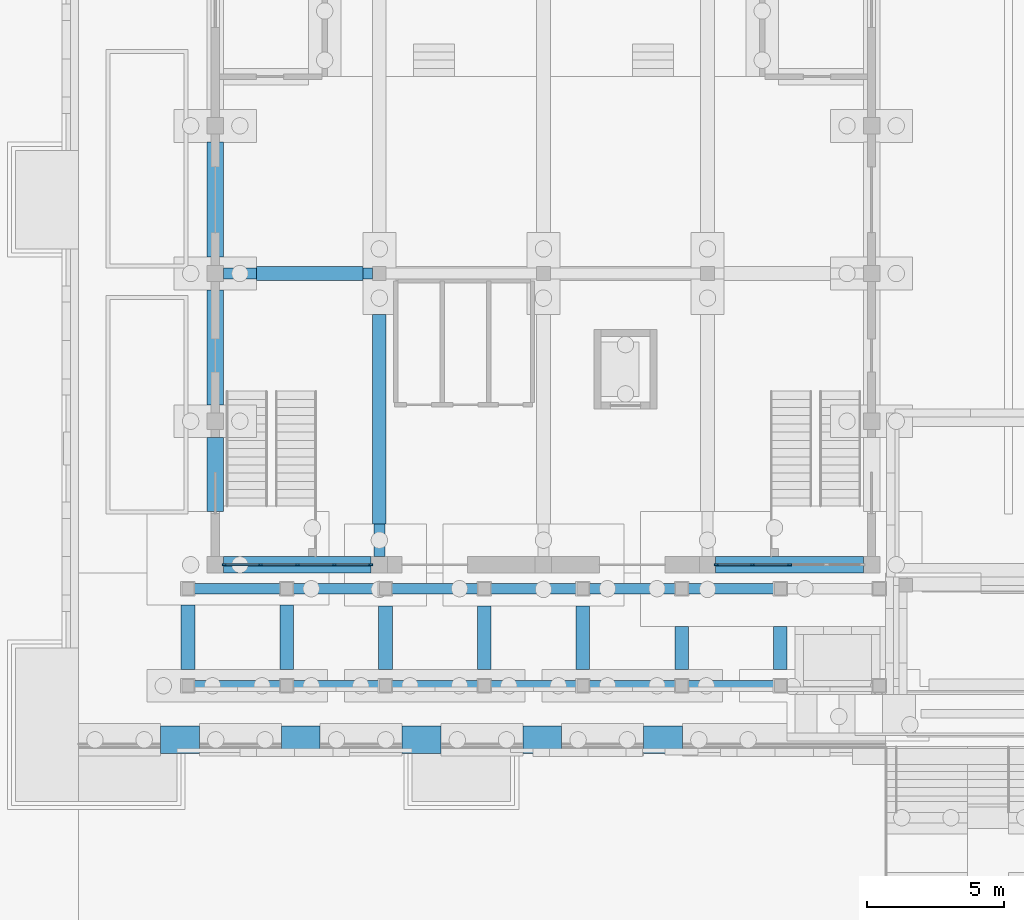
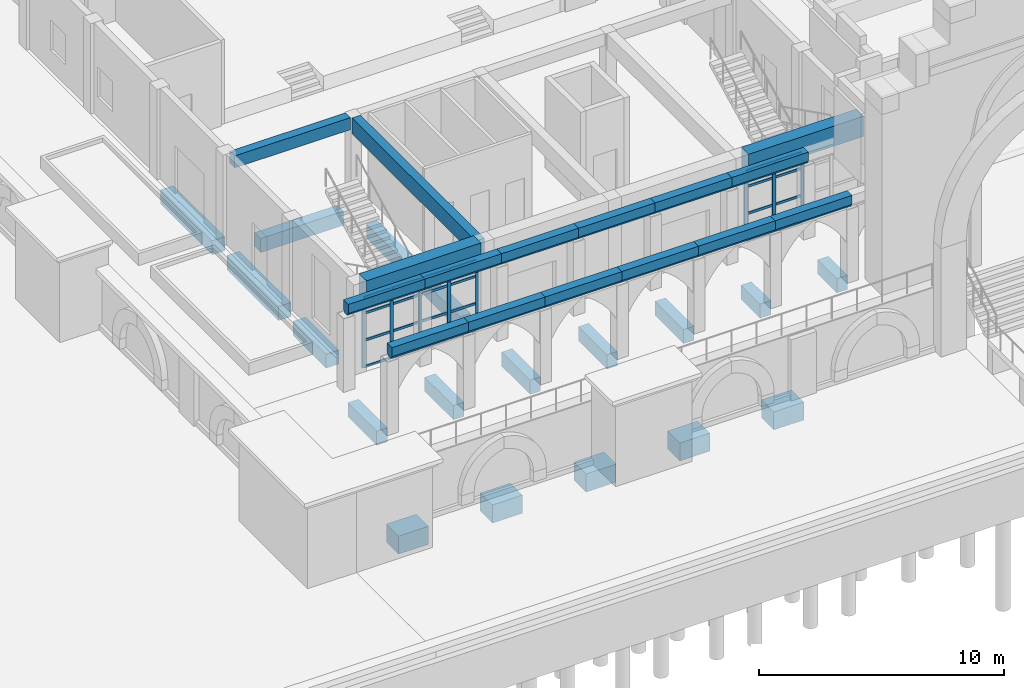
# One storey, part 10 of 161: 33 beams, 32 members, 2 elements without a shape of their own.
"""IFC4 building model written with IfcOpenShell, lengths in metres."""

from ifc_helpers import new_model, si_unit, direction, frame, origin, origin_2d, place, context, subcontext, project, spatial, polyline, rectangle, outline, extrude, material, material_profile, profile_set, type_object, element, aggregate, save


model = new_model("IFC4")

# Units and contexts
model_context = context("Model", 3, precision=1e-05, world=origin(), true_north=direction((0.0, 1.0)))
body_context = subcontext(model_context, "Body", "Model", "MODEL_VIEW")
ifc_project = project(units=[si_unit("LENGTHUNIT", "METRE"), si_unit("AREAUNIT", "SQUARE_METRE"), si_unit("VOLUMEUNIT", "CUBIC_METRE"), si_unit("PLANEANGLEUNIT", "RADIAN"), si_unit("MASSUNIT", "GRAM", prefix="KILO")], contexts=[model_context])

# Site, building, storey
site_placement = place(None, origin())
site = spatial("IfcSite", under=ifc_project, at=site_placement, CompositionType="ELEMENT")
building_placement = place(site_placement, origin())
building = spatial("IfcBuilding", under=site, at=building_placement, Name="Elbe Cascade School", CompositionType="ELEMENT")
storey_placement = place(building_placement, origin())
storey = spatial("IfcBuildingStorey", under=building, at=storey_placement, Name="L00", CompositionType="ELEMENT", Elevation=0.0)

# Beams
ifc_material_1 = material(Name="Concrete C30/37", Category="concrete")
ifc_material_profile_1 = material_profile(ifc_material_1, rectangle(XDim=0.39990234375, YDim=0.60009765625, at=origin_2d()), Name="RC 400x600")
ifc_profile_set_1 = profile_set([ifc_material_profile_1], Name="Concrete C30/37")
beam_type_1 = type_object("IfcBeamType", Name="Assembly hall beam RC 400x600", PredefinedType="BEAM", material=ifc_profile_set_1)
beam_1_placement = place(storey_placement, frame((5.300048828125, 16.800048828125, 3.89990234375), z_axis=(1.0, 0.0, 0.0), x_axis=(0.0, 1.0, 0.0)))
element("IfcBeam", 1, at=beam_1_placement, inside=storey, type_object=beam_type_1, Name="Assembly hall beam RC 400x600 B18", PredefinedType="BEAM", context=body_context, shape_type="SweptSolid", body=[
    extrude(rectangle(XDim=0.39990234375, YDim=0.60009765625, at=origin_2d()), origin(), (0.0, 0.0, 1.0), 5.449951171875),
])
ifc_material_2 = material(Name="Concrete C30/37", Category="concrete")
ifc_material_profile_2 = material_profile(ifc_material_2, rectangle(XDim=0.39990234375, YDim=0.800048828125, at=origin_2d()), Name="RC 400x800")
ifc_profile_set_2 = profile_set([ifc_material_profile_2], Name="Concrete C30/37")
beam_type_2 = type_object("IfcBeamType", Name="Assembly hall beam RC 400x800", PredefinedType="BEAM", material=ifc_profile_set_2)
beam_2_placement = place(storey_placement, frame((11.0, 6.449951171875, 3.800048828125), z_axis=(0.0, 1.0, 0.0), x_axis=(-1.0, 0.0, 0.0)))
element("IfcBeam", 2, at=beam_2_placement, inside=storey, type_object=beam_type_2, Name="Assembly hall beam RC 400x800 B17", PredefinedType="BEAM", context=body_context, shape_type="SweptSolid", body=[
    extrude(rectangle(XDim=0.39990234375, YDim=0.800048828125, at=origin_2d()), origin(), (0.0, 0.0, 1.0), 10.10009765625),
])
ifc_material_3 = material(Name="Concrete C30/37", Category="concrete")
ifc_material_profile_3 = material_profile(ifc_material_3, rectangle(XDim=0.60009765625, YDim=1.0, at=origin_2d()), Name="RC 600x1000")
ifc_profile_set_3 = profile_set([ifc_material_profile_3], Name="Concrete C30/37")
beam_type_3 = type_object("IfcBeamType", Name="Assembly hall beam RC 600x1000", PredefinedType="BEAM", material=ifc_profile_set_3)
for number, where, z_axis, x_axis, name in (
    (3, (5.300048828125, 6.14990234375, 4.0), (1.0, 0.0, 0.0), (0.0, 1.0, 0.0), "Assembly hall beam RC 600x1000 B15"),
    (4, (23.300048828125, 6.14990234375, 4.0), (1.0, 0.0, 0.0), (0.0, 1.0, 0.0), "Assembly hall beam RC 600x1000 B15"),
):
    element("IfcBeam", number, at=place(storey_placement, frame(where, z_axis=z_axis, x_axis=x_axis)), inside=storey, type_object=beam_type_3, Name=name, PredefinedType="BEAM", context=body_context, shape_type="SweptSolid", body=[
        extrude(rectangle(XDim=0.60009765625, YDim=1.0, at=origin_2d()), origin(), (0.0, 0.0, 1.0), 5.39990234375),
    ])

# Curtain wall, members
ifc_material_4 = material(Name="Assembly hall curtain wall")
curtain_wall_type = type_object("IfcCurtainWallType", Name="Assembly hall curtain wall", PredefinedType="NOTDEFINED", material=ifc_material_4)
curtain_wall_1_placement = place(storey_placement, origin())
curtain_wall_1 = element("IfcCurtainWall", 5, at=curtain_wall_1_placement, inside=storey, type_object=curtain_wall_type, Name="Curtain wall CW8 AU.L00.cw.s0", PredefinedType="NOTDEFINED")
ifc_material_5 = material(Name="Aluminium - bronze anodised", Category="aluminium")
ifc_material_profile_4 = material_profile(ifc_material_5, rectangle(XDim=0.06005859375, YDim=0.159912109375, at=origin_2d()), Name="RECT 60x160")
ifc_profile_set_4 = profile_set([ifc_material_profile_4], Name="Aluminium - bronze anodised")
member_type_1 = type_object("IfcMemberType", Name="Assembly hall curtain wall mullion 60 x 160", PredefinedType="MULLION", material=ifc_profile_set_4)
member_1_placement = place(storey_placement, frame((5.330078125, 6.14990234375, 0.0), z_axis=(0.0, 0.0, 1.0), x_axis=(0.0, 1.0, 0.0)))
member_1 = element("IfcMember", 6, at=member_1_placement, type_object=member_type_1, Name="CW8 mullion 1", PredefinedType="MULLION", context=body_context, shape_type="SweptSolid", body=[
    extrude(rectangle(XDim=0.06005859375, YDim=0.159912109375, at=origin_2d()), origin(), (0.0, 0.0, 1.0), 3.5),
])
member_2_placement = place(storey_placement, frame((6.64990234375, 6.14990234375, 0.0), z_axis=(0.0, 0.0, 1.0), x_axis=(0.0, 1.0, 0.0)))
member_2 = element("IfcMember", 7, at=member_2_placement, type_object=member_type_1, Name="CW8 mullion 2", PredefinedType="MULLION", context=body_context, shape_type="SweptSolid", body=[
    extrude(rectangle(XDim=0.06005859375, YDim=0.159912109375, at=origin_2d()), origin(), (0.0, 0.0, 1.0), 3.5),
])
member_3_placement = place(storey_placement, frame((8.0, 6.14990234375, 0.0), z_axis=(0.0, 0.0, 1.0), x_axis=(0.0, 1.0, 0.0)))
member_3 = element("IfcMember", 8, at=member_3_placement, type_object=member_type_1, Name="CW8 mullion 3", PredefinedType="MULLION", context=body_context, shape_type="SweptSolid", body=[
    extrude(rectangle(XDim=0.06005859375, YDim=0.159912109375, at=origin_2d()), origin(), (0.0, 0.0, 1.0), 3.5),
])
member_4_placement = place(storey_placement, frame((9.35009765625, 6.14990234375, 0.0), z_axis=(0.0, 0.0, 1.0), x_axis=(0.0, 1.0, 0.0)))
member_4 = element("IfcMember", 9, at=member_4_placement, type_object=member_type_1, Name="CW8 mullion 4", PredefinedType="MULLION", context=body_context, shape_type="SweptSolid", body=[
    extrude(rectangle(XDim=0.06005859375, YDim=0.159912109375, at=origin_2d()), origin(), (0.0, 0.0, 1.0), 3.5),
])
member_5_placement = place(storey_placement, frame((10.669921875, 6.14990234375, 0.0), z_axis=(0.0, 0.0, 1.0), x_axis=(0.0, 1.0, 0.0)))
member_5 = element("IfcMember", 10, at=member_5_placement, type_object=member_type_1, Name="CW8 mullion 5", PredefinedType="MULLION", context=body_context, shape_type="SweptSolid", body=[
    extrude(rectangle(XDim=0.06005859375, YDim=0.159912109375, at=origin_2d()), origin(), (0.0, 0.0, 1.0), 3.5),
])

curtain_wall_2_placement = place(storey_placement, origin())
curtain_wall_2 = element("IfcCurtainWall", 11, at=curtain_wall_2_placement, inside=storey, type_object=curtain_wall_type, Name="Curtain wall CW8 AU.L00.cw.s3", PredefinedType="NOTDEFINED")
member_6_placement = place(storey_placement, frame((23.330078125, 6.14990234375, 0.0), z_axis=(0.0, 0.0, 1.0), x_axis=(0.0, 1.0, 0.0)))
member_6 = element("IfcMember", 12, at=member_6_placement, type_object=member_type_1, Name="CW8 mullion 1", PredefinedType="MULLION", context=body_context, shape_type="SweptSolid", body=[
    extrude(rectangle(XDim=0.06005859375, YDim=0.159912109375, at=origin_2d()), origin(), (0.0, 0.0, 1.0), 3.5),
])
member_7_placement = place(storey_placement, frame((24.64990234375, 6.14990234375, 0.0), z_axis=(0.0, 0.0, 1.0), x_axis=(0.0, 1.0, 0.0)))
member_7 = element("IfcMember", 13, at=member_7_placement, type_object=member_type_1, Name="CW8 mullion 2", PredefinedType="MULLION", context=body_context, shape_type="SweptSolid", body=[
    extrude(rectangle(XDim=0.06005859375, YDim=0.159912109375, at=origin_2d()), origin(), (0.0, 0.0, 1.0), 3.5),
])
member_8_placement = place(storey_placement, frame((26.0, 6.14990234375, 0.0), z_axis=(0.0, 0.0, 1.0), x_axis=(0.0, 1.0, 0.0)))
member_8 = element("IfcMember", 14, at=member_8_placement, type_object=member_type_1, Name="CW8 mullion 3", PredefinedType="MULLION", context=body_context, shape_type="SweptSolid", body=[
    extrude(rectangle(XDim=0.06005859375, YDim=0.159912109375, at=origin_2d()), origin(), (0.0, 0.0, 1.0), 3.5),
])

# Member
ifc_material_6 = material(Name="Aluminium - bronze anodised", Category="aluminium")
ifc_material_profile_5 = material_profile(ifc_material_6, rectangle(XDim=0.06005859375, YDim=0.1201171875, at=origin_2d()), Name="RECT 60x120")
ifc_profile_set_5 = profile_set([ifc_material_profile_5], Name="Aluminium - bronze anodised")
member_type_2 = type_object("IfcMemberType", Name="Assembly hall curtain wall transom 60 x 120", PredefinedType="USERDEFINED", material=ifc_profile_set_5)
member_9_placement = place(storey_placement, frame((5.360107421875, 6.14990234375, 0.030029296875), z_axis=(1.0, 0.0, 0.0), x_axis=(0.0, 1.0, 0.0)))
member_9 = element("IfcMember", 15, at=member_9_placement, type_object=member_type_2, Name="CW8 transom 1.1", ObjectType="TRANSOM", PredefinedType="USERDEFINED", context=body_context, shape_type="SweptSolid", body=[
    extrude(rectangle(XDim=0.06005859375, YDim=0.1201171875, at=origin_2d()), origin(), (0.0, 0.0, 1.0), 1.260009765625),
])

member_10_placement = place(storey_placement, frame((5.360107421875, 6.14990234375, 1.35009765625), z_axis=(1.0, 0.0, 0.0), x_axis=(0.0, 1.0, 0.0)))
member_10 = element("IfcMember", 16, at=member_10_placement, type_object=member_type_2, Name="CW8 transom 1.2", ObjectType="TRANSOM", PredefinedType="USERDEFINED", context=body_context, shape_type="SweptSolid", body=[
    extrude(rectangle(XDim=0.06005859375, YDim=0.1201171875, at=origin_2d()), origin(), (0.0, 0.0, 1.0), 1.260009765625),
])

member_11_placement = place(storey_placement, frame((5.360107421875, 6.14990234375, 2.699951171875), z_axis=(1.0, 0.0, 0.0), x_axis=(0.0, 1.0, 0.0)))
member_11 = element("IfcMember", 17, at=member_11_placement, type_object=member_type_2, Name="CW8 transom 1.3", ObjectType="TRANSOM", PredefinedType="USERDEFINED", context=body_context, shape_type="SweptSolid", body=[
    extrude(rectangle(XDim=0.06005859375, YDim=0.1201171875, at=origin_2d()), origin(), (0.0, 0.0, 1.0), 1.260009765625),
])

member_12_placement = place(storey_placement, frame((5.360107421875, 6.14990234375, 3.469970703125), z_axis=(1.0, 0.0, 0.0), x_axis=(0.0, 1.0, 0.0)))
member_12 = element("IfcMember", 18, at=member_12_placement, type_object=member_type_2, Name="CW8 transom 1.4", ObjectType="TRANSOM", PredefinedType="USERDEFINED", context=body_context, shape_type="SweptSolid", body=[
    extrude(rectangle(XDim=0.06005859375, YDim=0.1201171875, at=origin_2d()), origin(), (0.0, 0.0, 1.0), 1.260009765625),
])

member_13_placement = place(storey_placement, frame((6.679931640625, 6.14990234375, 0.030029296875), z_axis=(1.0, 0.0, 0.0), x_axis=(0.0, 1.0, 0.0)))
member_13 = element("IfcMember", 19, at=member_13_placement, type_object=member_type_2, Name="CW8 transom 2.1", ObjectType="TRANSOM", PredefinedType="USERDEFINED", context=body_context, shape_type="SweptSolid", body=[
    extrude(rectangle(XDim=0.06005859375, YDim=0.1201171875, at=origin_2d()), origin(), (0.0, 0.0, 1.0), 1.2900390625),
])

member_14_placement = place(storey_placement, frame((6.679931640625, 6.14990234375, 1.35009765625), z_axis=(1.0, 0.0, 0.0), x_axis=(0.0, 1.0, 0.0)))
member_14 = element("IfcMember", 20, at=member_14_placement, type_object=member_type_2, Name="CW8 transom 2.2", ObjectType="TRANSOM", PredefinedType="USERDEFINED", context=body_context, shape_type="SweptSolid", body=[
    extrude(rectangle(XDim=0.06005859375, YDim=0.1201171875, at=origin_2d()), origin(), (0.0, 0.0, 1.0), 1.2900390625),
])

member_15_placement = place(storey_placement, frame((6.679931640625, 6.14990234375, 2.699951171875), z_axis=(1.0, 0.0, 0.0), x_axis=(0.0, 1.0, 0.0)))
member_15 = element("IfcMember", 21, at=member_15_placement, type_object=member_type_2, Name="CW8 transom 2.3", ObjectType="TRANSOM", PredefinedType="USERDEFINED", context=body_context, shape_type="SweptSolid", body=[
    extrude(rectangle(XDim=0.06005859375, YDim=0.1201171875, at=origin_2d()), origin(), (0.0, 0.0, 1.0), 1.2900390625),
])

member_16_placement = place(storey_placement, frame((6.679931640625, 6.14990234375, 3.469970703125), z_axis=(1.0, 0.0, 0.0), x_axis=(0.0, 1.0, 0.0)))
member_16 = element("IfcMember", 22, at=member_16_placement, type_object=member_type_2, Name="CW8 transom 2.4", ObjectType="TRANSOM", PredefinedType="USERDEFINED", context=body_context, shape_type="SweptSolid", body=[
    extrude(rectangle(XDim=0.06005859375, YDim=0.1201171875, at=origin_2d()), origin(), (0.0, 0.0, 1.0), 1.2900390625),
])

member_17_placement = place(storey_placement, frame((8.030029296875, 6.14990234375, 0.030029296875), z_axis=(1.0, 0.0, 0.0), x_axis=(0.0, 1.0, 0.0)))
member_17 = element("IfcMember", 23, at=member_17_placement, type_object=member_type_2, Name="CW8 transom 3.1", ObjectType="TRANSOM", PredefinedType="USERDEFINED", context=body_context, shape_type="SweptSolid", body=[
    extrude(rectangle(XDim=0.06005859375, YDim=0.1201171875, at=origin_2d()), origin(), (0.0, 0.0, 1.0), 1.2900390625),
])

member_18_placement = place(storey_placement, frame((8.030029296875, 6.14990234375, 1.35009765625), z_axis=(1.0, 0.0, 0.0), x_axis=(0.0, 1.0, 0.0)))
member_18 = element("IfcMember", 24, at=member_18_placement, type_object=member_type_2, Name="CW8 transom 3.2", ObjectType="TRANSOM", PredefinedType="USERDEFINED", context=body_context, shape_type="SweptSolid", body=[
    extrude(rectangle(XDim=0.06005859375, YDim=0.1201171875, at=origin_2d()), origin(), (0.0, 0.0, 1.0), 1.2900390625),
])

member_19_placement = place(storey_placement, frame((8.030029296875, 6.14990234375, 2.699951171875), z_axis=(1.0, 0.0, 0.0), x_axis=(0.0, 1.0, 0.0)))
member_19 = element("IfcMember", 25, at=member_19_placement, type_object=member_type_2, Name="CW8 transom 3.3", ObjectType="TRANSOM", PredefinedType="USERDEFINED", context=body_context, shape_type="SweptSolid", body=[
    extrude(rectangle(XDim=0.06005859375, YDim=0.1201171875, at=origin_2d()), origin(), (0.0, 0.0, 1.0), 1.2900390625),
])

member_20_placement = place(storey_placement, frame((8.030029296875, 6.14990234375, 3.469970703125), z_axis=(1.0, 0.0, 0.0), x_axis=(0.0, 1.0, 0.0)))
member_20 = element("IfcMember", 26, at=member_20_placement, type_object=member_type_2, Name="CW8 transom 3.4", ObjectType="TRANSOM", PredefinedType="USERDEFINED", context=body_context, shape_type="SweptSolid", body=[
    extrude(rectangle(XDim=0.06005859375, YDim=0.1201171875, at=origin_2d()), origin(), (0.0, 0.0, 1.0), 1.2900390625),
])

member_21_placement = place(storey_placement, frame((9.3798828125, 6.14990234375, 0.030029296875), z_axis=(1.0, 0.0, 0.0), x_axis=(0.0, 1.0, 0.0)))
member_21 = element("IfcMember", 27, at=member_21_placement, type_object=member_type_2, Name="CW8 transom 4.1", ObjectType="TRANSOM", PredefinedType="USERDEFINED", context=body_context, shape_type="SweptSolid", body=[
    extrude(rectangle(XDim=0.06005859375, YDim=0.1201171875, at=origin_2d()), origin(), (0.0, 0.0, 1.0), 1.260009765625),
])

member_22_placement = place(storey_placement, frame((9.3798828125, 6.14990234375, 1.35009765625), z_axis=(1.0, 0.0, 0.0), x_axis=(0.0, 1.0, 0.0)))
member_22 = element("IfcMember", 28, at=member_22_placement, type_object=member_type_2, Name="CW8 transom 4.2", ObjectType="TRANSOM", PredefinedType="USERDEFINED", context=body_context, shape_type="SweptSolid", body=[
    extrude(rectangle(XDim=0.06005859375, YDim=0.1201171875, at=origin_2d()), origin(), (0.0, 0.0, 1.0), 1.260009765625),
])

member_23_placement = place(storey_placement, frame((9.3798828125, 6.14990234375, 2.699951171875), z_axis=(1.0, 0.0, 0.0), x_axis=(0.0, 1.0, 0.0)))
member_23 = element("IfcMember", 29, at=member_23_placement, type_object=member_type_2, Name="CW8 transom 4.3", ObjectType="TRANSOM", PredefinedType="USERDEFINED", context=body_context, shape_type="SweptSolid", body=[
    extrude(rectangle(XDim=0.06005859375, YDim=0.1201171875, at=origin_2d()), origin(), (0.0, 0.0, 1.0), 1.260009765625),
])

member_24_placement = place(storey_placement, frame((9.3798828125, 6.14990234375, 3.469970703125), z_axis=(1.0, 0.0, 0.0), x_axis=(0.0, 1.0, 0.0)))
member_24 = element("IfcMember", 30, at=member_24_placement, type_object=member_type_2, Name="CW8 transom 4.4", ObjectType="TRANSOM", PredefinedType="USERDEFINED", context=body_context, shape_type="SweptSolid", body=[
    extrude(rectangle(XDim=0.06005859375, YDim=0.1201171875, at=origin_2d()), origin(), (0.0, 0.0, 1.0), 1.260009765625),
])

aggregate(curtain_wall_1, [member_1, member_2, member_3, member_4, member_5, member_9, member_10, member_11, member_12, member_13, member_14, member_15, member_16, member_17, member_18, member_19, member_20, member_21, member_22, member_23, member_24])

member_25_placement = place(storey_placement, frame((23.360107421875, 6.14990234375, 0.030029296875), z_axis=(1.0, 0.0, 0.0), x_axis=(0.0, 1.0, 0.0)))
member_25 = element("IfcMember", 31, at=member_25_placement, type_object=member_type_2, Name="CW8 transom 1.1", ObjectType="TRANSOM", PredefinedType="USERDEFINED", context=body_context, shape_type="SweptSolid", body=[
    extrude(rectangle(XDim=0.06005859375, YDim=0.1201171875, at=origin_2d()), origin(), (0.0, 0.0, 1.0), 1.260009765625),
])

member_26_placement = place(storey_placement, frame((23.360107421875, 6.14990234375, 1.35009765625), z_axis=(1.0, 0.0, 0.0), x_axis=(0.0, 1.0, 0.0)))
member_26 = element("IfcMember", 32, at=member_26_placement, type_object=member_type_2, Name="CW8 transom 1.2", ObjectType="TRANSOM", PredefinedType="USERDEFINED", context=body_context, shape_type="SweptSolid", body=[
    extrude(rectangle(XDim=0.06005859375, YDim=0.1201171875, at=origin_2d()), origin(), (0.0, 0.0, 1.0), 1.260009765625),
])

member_27_placement = place(storey_placement, frame((23.360107421875, 6.14990234375, 2.699951171875), z_axis=(1.0, 0.0, 0.0), x_axis=(0.0, 1.0, 0.0)))
member_27 = element("IfcMember", 33, at=member_27_placement, type_object=member_type_2, Name="CW8 transom 1.3", ObjectType="TRANSOM", PredefinedType="USERDEFINED", context=body_context, shape_type="SweptSolid", body=[
    extrude(rectangle(XDim=0.06005859375, YDim=0.1201171875, at=origin_2d()), origin(), (0.0, 0.0, 1.0), 1.260009765625),
])

member_28_placement = place(storey_placement, frame((23.360107421875, 6.14990234375, 3.469970703125), z_axis=(1.0, 0.0, 0.0), x_axis=(0.0, 1.0, 0.0)))
member_28 = element("IfcMember", 34, at=member_28_placement, type_object=member_type_2, Name="CW8 transom 1.4", ObjectType="TRANSOM", PredefinedType="USERDEFINED", context=body_context, shape_type="SweptSolid", body=[
    extrude(rectangle(XDim=0.06005859375, YDim=0.1201171875, at=origin_2d()), origin(), (0.0, 0.0, 1.0), 1.260009765625),
])

member_29_placement = place(storey_placement, frame((24.679931640625, 6.14990234375, 0.030029296875), z_axis=(1.0, 0.0, 0.0), x_axis=(0.0, 1.0, 0.0)))
member_29 = element("IfcMember", 35, at=member_29_placement, type_object=member_type_2, Name="CW8 transom 2.1", ObjectType="TRANSOM", PredefinedType="USERDEFINED", context=body_context, shape_type="SweptSolid", body=[
    extrude(rectangle(XDim=0.06005859375, YDim=0.1201171875, at=origin_2d()), origin(), (0.0, 0.0, 1.0), 1.2900390625),
])

member_30_placement = place(storey_placement, frame((24.679931640625, 6.14990234375, 1.35009765625), z_axis=(1.0, 0.0, 0.0), x_axis=(0.0, 1.0, 0.0)))
member_30 = element("IfcMember", 36, at=member_30_placement, type_object=member_type_2, Name="CW8 transom 2.2", ObjectType="TRANSOM", PredefinedType="USERDEFINED", context=body_context, shape_type="SweptSolid", body=[
    extrude(rectangle(XDim=0.06005859375, YDim=0.1201171875, at=origin_2d()), origin(), (0.0, 0.0, 1.0), 1.2900390625),
])

member_31_placement = place(storey_placement, frame((24.679931640625, 6.14990234375, 2.699951171875), z_axis=(1.0, 0.0, 0.0), x_axis=(0.0, 1.0, 0.0)))
member_31 = element("IfcMember", 37, at=member_31_placement, type_object=member_type_2, Name="CW8 transom 2.3", ObjectType="TRANSOM", PredefinedType="USERDEFINED", context=body_context, shape_type="SweptSolid", body=[
    extrude(rectangle(XDim=0.06005859375, YDim=0.1201171875, at=origin_2d()), origin(), (0.0, 0.0, 1.0), 1.2900390625),
])

member_32_placement = place(storey_placement, frame((24.679931640625, 6.14990234375, 3.469970703125), z_axis=(1.0, 0.0, 0.0), x_axis=(0.0, 1.0, 0.0)))
member_32 = element("IfcMember", 38, at=member_32_placement, type_object=member_type_2, Name="CW8 transom 2.4", ObjectType="TRANSOM", PredefinedType="USERDEFINED", context=body_context, shape_type="SweptSolid", body=[
    extrude(rectangle(XDim=0.06005859375, YDim=0.1201171875, at=origin_2d()), origin(), (0.0, 0.0, 1.0), 1.2900390625),
])

aggregate(curtain_wall_2, [member_6, member_7, member_8, member_25, member_26, member_27, member_28, member_29, member_30, member_31, member_32])

# Beams
ifc_material_7 = material(Name="Concrete C35/45", Category="concrete")
ifc_material_profile_6 = material_profile(ifc_material_7, outline(polyline([(-0.199951171875, 0.300048828125), (0.199951171875, 0.300048828125), (0.199951171875, -0.14990234375), (0.10009765625, -0.300048828125), (-0.10009765625, -0.300048828125), (-0.199951171875, -0.14990234375), (-0.199951171875, 0.300048828125)])), Name="RC arch 400x600")
ifc_profile_set_6 = profile_set([ifc_material_profile_6], Name="Concrete C35/45")
beam_type_4 = type_object("IfcBeamType", Name="Colonnade arch beam 400x600", PredefinedType="USERDEFINED", material=ifc_profile_set_6)
beam_3_placement = place(storey_placement, frame((4.0, 1.72509765625, 3.949951171875), z_axis=(1.0, 0.0, 0.0), x_axis=(0.0, 1.0, 0.0)))
element("IfcBeam", 39, at=beam_3_placement, inside=storey, type_object=beam_type_4, Name="Colonnade arch beam F1", ObjectType="ARCH", PredefinedType="USERDEFINED", context=body_context, shape_type="SweptSolid", body=[
    extrude(outline(polyline([(-0.199951171875, 0.300048828125), (0.199951171875, 0.300048828125), (0.199951171875, -0.14990234375), (0.10009765625, -0.300048828125), (-0.10009765625, -0.300048828125), (-0.199951171875, -0.14990234375), (-0.199951171875, 0.300048828125)])), origin(), (0.0, 0.0, 1.0), 3.610595703125),
])
beam_4_placement = place(storey_placement, frame((7.610595703125, 1.72509765625, 3.949951171875), z_axis=(1.0, 0.0, 0.0), x_axis=(0.0, 1.0, 0.0)))
element("IfcBeam", 40, at=beam_4_placement, inside=storey, type_object=beam_type_4, Name="Colonnade arch beam F2", ObjectType="ARCH", PredefinedType="USERDEFINED", context=body_context, shape_type="SweptSolid", body=[
    extrude(outline(polyline([(-0.199951171875, 0.300048828125), (0.199951171875, 0.300048828125), (0.199951171875, -0.14990234375), (0.10009765625, -0.300048828125), (-0.10009765625, -0.300048828125), (-0.199951171875, -0.14990234375), (-0.199951171875, 0.300048828125)])), origin(), (0.0, 0.0, 1.0), 3.61083984375),
])
beam_5_placement = place(storey_placement, frame((11.221435546875, 1.72509765625, 3.949951171875), z_axis=(1.0, 0.0, 0.0), x_axis=(0.0, 1.0, 0.0)))
element("IfcBeam", 41, at=beam_5_placement, inside=storey, type_object=beam_type_4, Name="Colonnade arch beam F3", ObjectType="ARCH", PredefinedType="USERDEFINED", context=body_context, shape_type="SweptSolid", body=[
    extrude(outline(polyline([(-0.199951171875, 0.300048828125), (0.199951171875, 0.300048828125), (0.199951171875, -0.14990234375), (0.10009765625, -0.300048828125), (-0.10009765625, -0.300048828125), (-0.199951171875, -0.14990234375), (-0.199951171875, 0.300048828125)])), origin(), (0.0, 0.0, 1.0), 3.610595703125),
])
for number, where, z_axis, x_axis, name in (
    (42, (14.83203125, 1.72509765625, 3.949951171875), (1.0, 0.0, 0.0), (0.0, 1.0, 0.0), "Colonnade arch beam F4"),
    (43, (18.44287109375, 1.72509765625, 3.949951171875), (1.0, 0.0, 0.0), (0.0, 1.0, 0.0), "Colonnade arch beam F5"),
):
    element("IfcBeam", number, at=place(storey_placement, frame(where, z_axis=z_axis, x_axis=x_axis)), inside=storey, type_object=beam_type_4, Name=name, ObjectType="ARCH", PredefinedType="USERDEFINED", context=body_context, shape_type="SweptSolid", body=[
        extrude(outline(polyline([(-0.199951171875, 0.300048828125), (0.199951171875, 0.300048828125), (0.199951171875, -0.14990234375), (0.10009765625, -0.300048828125), (-0.10009765625, -0.300048828125), (-0.199951171875, -0.14990234375), (-0.199951171875, 0.300048828125)])), origin(), (0.0, 0.0, 1.0), 3.61083984375),
    ])
for number, where, z_axis, x_axis, name in (
    (44, (22.0537109375, 1.72509765625, 3.949951171875), (1.0, 0.0, 0.0), (0.0, 1.0, 0.0), "Colonnade arch beam F6"),
    (45, (4.0, 5.27490234375, 3.949951171875), (1.0, 0.0, 0.0), (0.0, 1.0, 0.0), "Colonnade arch beam R1"),
):
    element("IfcBeam", number, at=place(storey_placement, frame(where, z_axis=z_axis, x_axis=x_axis)), inside=storey, type_object=beam_type_4, Name=name, ObjectType="ARCH", PredefinedType="USERDEFINED", context=body_context, shape_type="SweptSolid", body=[
        extrude(outline(polyline([(-0.199951171875, 0.300048828125), (0.199951171875, 0.300048828125), (0.199951171875, -0.14990234375), (0.10009765625, -0.300048828125), (-0.10009765625, -0.300048828125), (-0.199951171875, -0.14990234375), (-0.199951171875, 0.300048828125)])), origin(), (0.0, 0.0, 1.0), 3.610595703125),
    ])
beam_6_placement = place(storey_placement, frame((7.610595703125, 5.27490234375, 3.949951171875), z_axis=(1.0, 0.0, 0.0), x_axis=(0.0, 1.0, 0.0)))
element("IfcBeam", 46, at=beam_6_placement, inside=storey, type_object=beam_type_4, Name="Colonnade arch beam R2", ObjectType="ARCH", PredefinedType="USERDEFINED", context=body_context, shape_type="SweptSolid", body=[
    extrude(outline(polyline([(-0.199951171875, 0.300048828125), (0.199951171875, 0.300048828125), (0.199951171875, -0.14990234375), (0.10009765625, -0.300048828125), (-0.10009765625, -0.300048828125), (-0.199951171875, -0.14990234375), (-0.199951171875, 0.300048828125)])), origin(), (0.0, 0.0, 1.0), 3.61083984375),
])
beam_7_placement = place(storey_placement, frame((11.221435546875, 5.27490234375, 3.949951171875), z_axis=(1.0, 0.0, 0.0), x_axis=(0.0, 1.0, 0.0)))
element("IfcBeam", 47, at=beam_7_placement, inside=storey, type_object=beam_type_4, Name="Colonnade arch beam R3", ObjectType="ARCH", PredefinedType="USERDEFINED", context=body_context, shape_type="SweptSolid", body=[
    extrude(outline(polyline([(-0.199951171875, 0.300048828125), (0.199951171875, 0.300048828125), (0.199951171875, -0.14990234375), (0.10009765625, -0.300048828125), (-0.10009765625, -0.300048828125), (-0.199951171875, -0.14990234375), (-0.199951171875, 0.300048828125)])), origin(), (0.0, 0.0, 1.0), 3.610595703125),
])
for number, where, z_axis, x_axis, name in (
    (48, (14.83203125, 5.27490234375, 3.949951171875), (1.0, 0.0, 0.0), (0.0, 1.0, 0.0), "Colonnade arch beam R4"),
    (49, (18.44287109375, 5.27490234375, 3.949951171875), (1.0, 0.0, 0.0), (0.0, 1.0, 0.0), "Colonnade arch beam R5"),
):
    element("IfcBeam", number, at=place(storey_placement, frame(where, z_axis=z_axis, x_axis=x_axis)), inside=storey, type_object=beam_type_4, Name=name, ObjectType="ARCH", PredefinedType="USERDEFINED", context=body_context, shape_type="SweptSolid", body=[
        extrude(outline(polyline([(-0.199951171875, 0.300048828125), (0.199951171875, 0.300048828125), (0.199951171875, -0.14990234375), (0.10009765625, -0.300048828125), (-0.10009765625, -0.300048828125), (-0.199951171875, -0.14990234375), (-0.199951171875, 0.300048828125)])), origin(), (0.0, 0.0, 1.0), 3.61083984375),
    ])
beam_8_placement = place(storey_placement, frame((22.0537109375, 5.27490234375, 3.949951171875), z_axis=(1.0, 0.0, 0.0), x_axis=(0.0, 1.0, 0.0)))
element("IfcBeam", 50, at=beam_8_placement, inside=storey, type_object=beam_type_4, Name="Colonnade arch beam R6", ObjectType="ARCH", PredefinedType="USERDEFINED", context=body_context, shape_type="SweptSolid", body=[
    extrude(outline(polyline([(-0.199951171875, 0.300048828125), (0.199951171875, 0.300048828125), (0.199951171875, -0.14990234375), (0.10009765625, -0.300048828125), (-0.10009765625, -0.300048828125), (-0.199951171875, -0.14990234375), (-0.199951171875, 0.300048828125)])), origin(), (0.0, 0.0, 1.0), 3.610595703125),
])
ifc_material_8 = material(Name="Concrete C30/37", Category="concrete")
ifc_material_profile_7 = material_profile(ifc_material_8, rectangle(XDim=1.0, YDim=0.89990234375, at=origin_2d()), Name="RC 1000x900")
ifc_profile_set_7 = profile_set([ifc_material_profile_7], Name="Concrete C30/37")
beam_type_5 = type_object("IfcBeamType", Name="Found ground beam RC 1000x900", PredefinedType="BEAM", material=ifc_profile_set_7)
beam_9_placement = place(storey_placement, frame((3.0, -0.25, -3.85009765625), z_axis=(1.0, 0.0, 0.0), x_axis=(0.0, 1.0, 0.0)))
element("IfcBeam", 51, at=beam_9_placement, inside=storey, type_object=beam_type_5, Name="Ground beam 031", PredefinedType="BEAM", context=body_context, shape_type="SweptSolid", body=[
    extrude(rectangle(XDim=1.0, YDim=0.89990234375, at=origin_2d()), origin(), (0.0, 0.0, 1.0), 1.416748046875),
])
beam_10_placement = place(storey_placement, frame((7.416748046875, -0.25, -3.85009765625), z_axis=(1.0, 0.0, 0.0), x_axis=(0.0, 1.0, 0.0)))
element("IfcBeam", 52, at=beam_10_placement, inside=storey, type_object=beam_type_5, Name="Ground beam 032", PredefinedType="BEAM", context=body_context, shape_type="SweptSolid", body=[
    extrude(rectangle(XDim=1.0, YDim=0.89990234375, at=origin_2d()), origin(), (0.0, 0.0, 1.0), 1.41650390625),
])
for number, where, z_axis, x_axis, name in (
    (53, (11.833251953125, -0.25, -3.85009765625), (1.0, 0.0, 0.0), (0.0, 1.0, 0.0), "Ground beam 033"),
    (54, (16.25, -0.25, -3.85009765625), (1.0, 0.0, 0.0), (0.0, 1.0, 0.0), "Ground beam 034"),
):
    element("IfcBeam", number, at=place(storey_placement, frame(where, z_axis=z_axis, x_axis=x_axis)), inside=storey, type_object=beam_type_5, Name=name, PredefinedType="BEAM", context=body_context, shape_type="SweptSolid", body=[
        extrude(rectangle(XDim=1.0, YDim=0.89990234375, at=origin_2d()), origin(), (0.0, 0.0, 1.0), 1.416748046875),
    ])
beam_11_placement = place(storey_placement, frame((20.666748046875, -0.25, -3.85009765625), z_axis=(1.0, 0.0, 0.0), x_axis=(0.0, 1.0, 0.0)))
element("IfcBeam", 55, at=beam_11_placement, inside=storey, type_object=beam_type_5, Name="Ground beam 035", PredefinedType="BEAM", context=body_context, shape_type="SweptSolid", body=[
    extrude(rectangle(XDim=1.0, YDim=0.89990234375, at=origin_2d()), origin(), (0.0, 0.0, 1.0), 1.41650390625),
])
ifc_material_9 = material(Name="Concrete C30/37", Category="concrete")
ifc_material_profile_8 = material_profile(ifc_material_9, rectangle(XDim=0.5, YDim=0.699951171875, at=origin_2d()), Name="RC 500x700")
ifc_profile_set_8 = profile_set([ifc_material_profile_8], Name="Concrete C30/37")
beam_type_6 = type_object("IfcBeamType", Name="Found ground beam RC 500x700", PredefinedType="BEAM", material=ifc_profile_set_8)
beam_12_placement = place(storey_placement, frame((6.5, 16.800048828125, -0.64990234375), z_axis=(1.0, 0.0, 0.0), x_axis=(0.0, 1.0, 0.0)))
element("IfcBeam", 56, at=beam_12_placement, inside=storey, type_object=beam_type_6, Name="Ground beam 210", PredefinedType="BEAM", context=body_context, shape_type="SweptSolid", body=[
    extrude(rectangle(XDim=0.5, YDim=0.699951171875, at=origin_2d()), origin(), (0.0, 0.0, 1.0), 3.89990234375),
])
beam_13_placement = place(storey_placement, frame((11.0, 7.64990234375, -0.64990234375), z_axis=(0.0, 1.0, 0.0), x_axis=(-1.0, 0.0, 0.0)))
element("IfcBeam", 57, at=beam_13_placement, inside=storey, type_object=beam_type_6, Name="Ground beam 214", PredefinedType="BEAM", context=body_context, shape_type="SweptSolid", body=[
    extrude(rectangle(XDim=0.5, YDim=0.699951171875, at=origin_2d()), origin(), (0.0, 0.0, 1.0), 7.650146484375),
])
for number, where, z_axis, x_axis, name in (
    (58, (4.0, 2.324951171875, -0.64990234375), (0.0, 1.0, 0.0), (-1.0, 0.0, 0.0), "Ground beam 378"),
    (59, (7.610595703125, 2.324951171875, -0.64990234375), (0.0, 1.0, 0.0), (-1.0, 0.0, 0.0), "Ground beam 379"),
):
    element("IfcBeam", number, at=place(storey_placement, frame(where, z_axis=z_axis, x_axis=x_axis)), inside=storey, type_object=beam_type_6, Name=name, PredefinedType="BEAM", context=body_context, shape_type="SweptSolid", body=[
        extrude(rectangle(XDim=0.5, YDim=0.699951171875, at=origin_2d()), origin(), (0.0, 0.0, 1.0), 2.35009765625),
    ])
for number, where, z_axis, x_axis, name in (
    (60, (11.221435546875, 2.324951171875, -0.64990234375), (0.0, 1.0, 0.0), (-1.0, 0.0, 0.0), "Ground beam 380"),
    (61, (14.83203125, 2.324951171875, -0.64990234375), (0.0, 1.0, 0.0), (-1.0, 0.0, 0.0), "Ground beam 381"),
    (62, (18.44287109375, 2.324951171875, -0.64990234375), (0.0, 1.0, 0.0), (-1.0, 0.0, 0.0), "Ground beam 382"),
):
    element("IfcBeam", number, at=place(storey_placement, frame(where, z_axis=z_axis, x_axis=x_axis)), inside=storey, type_object=beam_type_6, Name=name, PredefinedType="BEAM", context=body_context, shape_type="SweptSolid", body=[
        extrude(rectangle(XDim=0.5, YDim=0.699951171875, at=origin_2d()), origin(), (0.0, 0.0, 1.0), 2.324951171875),
    ])
for number, where, z_axis, x_axis, name in (
    (63, (22.0537109375, 2.324951171875, -0.64990234375), (0.0, 1.0, 0.0), (-1.0, 0.0, 0.0), "Ground beam 383"),
    (64, (25.664306640625, 2.324951171875, -0.64990234375), (0.0, 1.0, 0.0), (-1.0, 0.0, 0.0), "Ground beam 384"),
):
    element("IfcBeam", number, at=place(storey_placement, frame(where, z_axis=z_axis, x_axis=x_axis)), inside=storey, type_object=beam_type_6, Name=name, PredefinedType="BEAM", context=body_context, shape_type="SweptSolid", body=[
        extrude(rectangle(XDim=0.5, YDim=0.699951171875, at=origin_2d()), origin(), (0.0, 0.0, 1.0), 1.574951171875),
    ])
ifc_material_10 = material(Name="Concrete C30/37", Category="concrete")
ifc_material_profile_9 = material_profile(ifc_material_10, rectangle(XDim=0.60009765625, YDim=0.699951171875, at=origin_2d()), Name="RC 600x700")
ifc_profile_set_9 = profile_set([ifc_material_profile_9], Name="Concrete C30/37")
beam_type_7 = type_object("IfcBeamType", Name="Found ground beam RC 600x700", PredefinedType="BEAM", material=ifc_profile_set_9)
beam_14_placement = place(storey_placement, frame((5.0, 8.10009765625, -0.64990234375), z_axis=(0.0, 1.0, 0.0), x_axis=(-1.0, 0.0, 0.0)))
element("IfcBeam", 65, at=beam_14_placement, inside=storey, type_object=beam_type_7, Name="Ground beam 116", PredefinedType="BEAM", context=body_context, shape_type="SweptSolid", body=[
    extrude(rectangle(XDim=0.60009765625, YDim=0.699951171875, at=origin_2d()), origin(), (0.0, 0.0, 1.0), 2.699951171875),
])
beam_15_placement = place(storey_placement, frame((5.0, 12.0, -0.64990234375), z_axis=(0.0, 1.0, 0.0), x_axis=(-1.0, 0.0, 0.0)))
element("IfcBeam", 66, at=beam_15_placement, inside=storey, type_object=beam_type_7, Name="Ground beam 117", PredefinedType="BEAM", context=body_context, shape_type="SweptSolid", body=[
    extrude(rectangle(XDim=0.60009765625, YDim=0.699951171875, at=origin_2d()), origin(), (0.0, 0.0, 1.0), 4.199951171875),
])
beam_16_placement = place(storey_placement, frame((5.0, 17.39990234375, -0.64990234375), z_axis=(0.0, 1.0, 0.0), x_axis=(-1.0, 0.0, 0.0)))
element("IfcBeam", 67, at=beam_16_placement, inside=storey, type_object=beam_type_7, Name="Ground beam 118", PredefinedType="BEAM", context=body_context, shape_type="SweptSolid", body=[
    extrude(rectangle(XDim=0.60009765625, YDim=0.699951171875, at=origin_2d()), origin(), (0.0, 0.0, 1.0), 4.2001953125),
])

save(model, "model.ifc")
